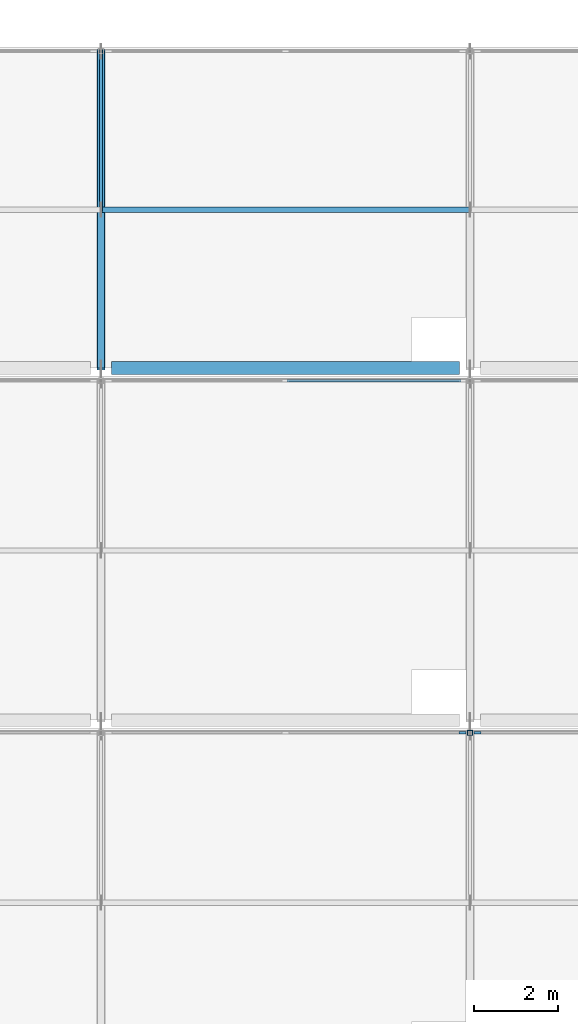
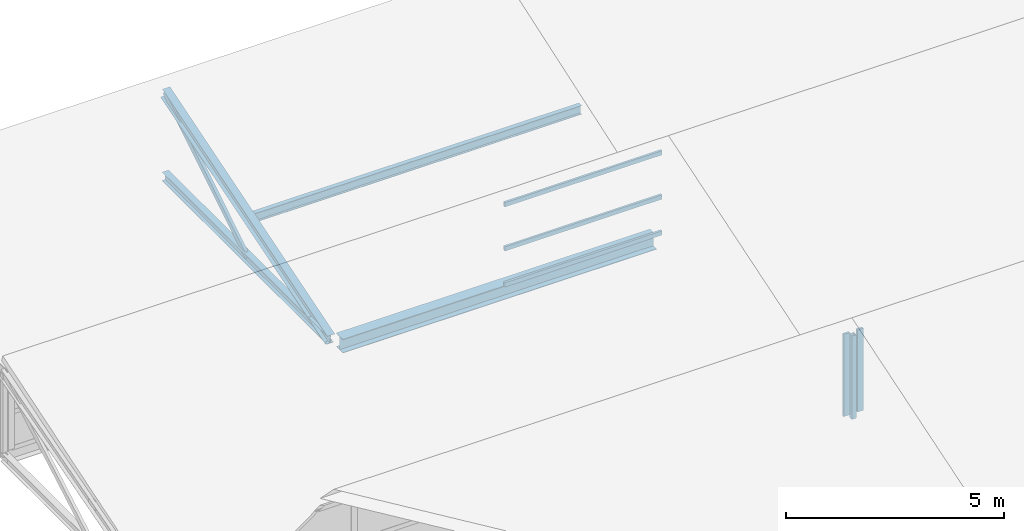
# One storey, part 5 of 40: 10 members, 1 beam, 3 elements without a shape of their own.
"""IFC4 building model written with IfcOpenShell, lengths in metres."""

from ifc_helpers import new_model, si_unit, direction, frame, origin, origin_2d, place, context, subcontext, project, spatial, rectangle, hollow_rectangle, i_section, extrude, material, material_profile, profile_set, type_object, element, aggregate, save


model = new_model("IFC4")

# Units and contexts
model_context = context("Model", 3, precision=1e-05, world=origin(), true_north=direction((0.0, 1.0)))
body_context = subcontext(model_context, "Body", "Model", "MODEL_VIEW")
ifc_project = project(units=[si_unit("LENGTHUNIT", "METRE"), si_unit("AREAUNIT", "SQUARE_METRE"), si_unit("VOLUMEUNIT", "CUBIC_METRE"), si_unit("PLANEANGLEUNIT", "RADIAN"), si_unit("MASSUNIT", "GRAM", prefix="KILO")], contexts=[model_context])

# Site, building, storey
site_placement = place(None, origin())
site = spatial("IfcSite", under=ifc_project, at=site_placement, CompositionType="ELEMENT")
building_placement = place(site_placement, origin())
building = spatial("IfcBuilding", under=site, at=building_placement, Name="Brinegate Botanical Conservatory", CompositionType="ELEMENT")
storey_placement = place(building_placement, frame((0.0, 0.0, 19.199951171875)))
storey = spatial("IfcBuildingStorey", under=building, at=storey_placement, Name="L05", CompositionType="ELEMENT", Elevation=19.199951171875)

# Beam
ifc_material_1 = material(Name="Structural steel Q355B / S355", Category="steel")
ifc_material_profile_1 = material_profile(ifc_material_1, i_section(OverallWidth=0.300048828125, OverallDepth=0.389892578125, WebThickness=0.010009765625, FlangeThickness=0.01611328125, at=origin_2d()), Name="HM 390x300x10x16")
ifc_profile_set_1 = profile_set([ifc_material_profile_1], Name="Structural steel Q355B / S355")
beam_type = type_object("IfcBeamType", Name="Beam_BM-S5", PredefinedType="BEAM", material=ifc_profile_set_1)
beam_placement = place(storey_placement, frame((59.85009765625, 103.60009765625, -0.179931640625), z_axis=(1.0, 0.0, 0.0), x_axis=(0.0, 1.0, 0.0)))
element("IfcBeam", 1, at=beam_placement, inside=storey, type_object=beam_type, Name="Sawtooth valley girder BM-S5 B3.2", PredefinedType="BEAM", context=body_context, shape_type="SweptSolid", body=[
    extrude(i_section(OverallWidth=0.300048828125, OverallDepth=0.389892578125, WebThickness=0.010009765625, FlangeThickness=0.01611328125, at=origin_2d()), origin(), (0.0, 0.0, 1.0), 8.2998046875),
])

# Curtain wall, member
ifc_material_2 = material(Name="Thermally broken anodised aluminium AW-6063-T6", Category="aluminium")
curtain_wall_type = type_object("IfcCurtainWallType", Name="CW_CW-SAW", PredefinedType="USERDEFINED", material=ifc_material_2)
curtain_wall_1_placement = place(storey_placement, origin())
curtain_wall_1 = element("IfcCurtainWall", 2, at=curtain_wall_1_placement, inside=storey, type_object=curtain_wall_type, Name="Sawtooth north-light clerestory B1.2", ObjectType="FACTORY CURTAIN WALL", PredefinedType="USERDEFINED")
ifc_material_profile_2 = material_profile(ifc_material_2, rectangle(XDim=0.06005859375, YDim=0.159912109375, at=origin_2d()), Name="ALUM MULLION 60x160")
ifc_profile_set_2 = profile_set([ifc_material_profile_2], Name="Thermally broken anodised aluminium AW-6063-T6")
member_type_1 = type_object("IfcMemberType", Name="Member_ML-01", PredefinedType="MULLION", material=ifc_profile_set_2)
member_1_placement = place(storey_placement, frame((68.219970703125, 94.89990234375, 0.150146484375), z_axis=(0.0, 0.0, 1.0), x_axis=(0.0, 1.0, 0.0)))
member_1 = element("IfcMember", 3, at=member_1_placement, type_object=member_type_1, Name="CW-SAW mullion 3", PredefinedType="MULLION", context=body_context, shape_type="SweptSolid", body=[
    extrude(rectangle(XDim=0.06005859375, YDim=0.159912109375, at=origin_2d()), origin(), (0.0, 0.0, 1.0), 2.2998046875),
])
aggregate(curtain_wall_1, [member_1])

curtain_wall_2_placement = place(storey_placement, origin())
curtain_wall_2 = element("IfcCurtainWall", 4, at=curtain_wall_2_placement, inside=storey, type_object=curtain_wall_type, Name="Sawtooth north-light clerestory B1.3", ObjectType="FACTORY CURTAIN WALL", PredefinedType="USERDEFINED")
member_2_placement = place(storey_placement, frame((68.580078125, 94.89990234375, 0.150146484375), z_axis=(0.0, 0.0, 1.0), x_axis=(0.0, 1.0, 0.0)))
member_2 = element("IfcMember", 5, at=member_2_placement, type_object=member_type_1, Name="CW-SAW mullion 1", PredefinedType="MULLION", context=body_context, shape_type="SweptSolid", body=[
    extrude(rectangle(XDim=0.06005859375, YDim=0.159912109375, at=origin_2d()), origin(), (0.0, 0.0, 1.0), 2.2998046875),
])
aggregate(curtain_wall_2, [member_2])

# Members
ifc_material_profile_3 = material_profile(ifc_material_1, hollow_rectangle(XDim=0.080078125, YDim=0.159912109375, WallThickness=0.006103515625, at=origin_2d()), Name="RHS 160x80x6")
ifc_profile_set_3 = profile_set([ifc_material_profile_3], Name="Structural steel Q355B / S355")
member_type_2 = type_object("IfcMemberType", Name="Member_SB-01", PredefinedType="BRACE", material=ifc_profile_set_3)
member_3_placement = place(storey_placement, frame((59.60009765625, 107.375, 0.02001953125), z_axis=(0.0, 0.850947042806, 0.525251492468), x_axis=(-1.0, 0.0, 0.0)))
element("IfcMember", 6, at=member_3_placement, inside=storey, type_object=member_type_2, Name="Sawtooth web diagonal SB-01 B3.T2", PredefinedType="BRACE", context=body_context, shape_type="SweptSolid", body=[
    extrude(hollow_rectangle(XDim=0.080078125, YDim=0.159912109375, WallThickness=0.006103515625, at=origin_2d()), origin(), (0.0, 0.0, 1.0), 4.43603515625),
])
ifc_material_profile_4 = material_profile(ifc_material_1, i_section(OverallWidth=0.199951171875, OverallDepth=0.2939453125, WebThickness=0.008056640625, FlangeThickness=0.011962890625, at=origin_2d()), Name="HM 294x200x8x12")
ifc_profile_set_4 = profile_set([ifc_material_profile_4], Name="Structural steel Q355B / S355")
member_type_3 = type_object("IfcMemberType", Name="Member_SC-01", PredefinedType="CHORD", material=ifc_profile_set_4)
member_4_placement = place(storey_placement, frame((59.60009765625, 103.60009765625, 0.02001953125), z_axis=(0.0, 0.955527457741, 0.294902149032), x_axis=(-1.0, 0.0, 0.0)))
element("IfcMember", 7, at=member_4_placement, inside=storey, type_object=member_type_3, Name="Sawtooth rafter chord SC-01 B3.T2", PredefinedType="CHORD", context=body_context, shape_type="SweptSolid", body=[
    extrude(i_section(OverallWidth=0.199951171875, OverallDepth=0.2939453125, WebThickness=0.008056640625, FlangeThickness=0.011962890625, at=origin_2d()), origin(), (0.0, 0.0, 1.0), 7.901123046875),
])
ifc_material_profile_5 = material_profile(ifc_material_1, i_section(OverallWidth=0.175048828125, OverallDepth=0.243896484375, WebThickness=0.007080078125, FlangeThickness=0.010986328125, at=origin_2d()), Name="HM 244x175x7x11")
ifc_profile_set_5 = profile_set([ifc_material_profile_5], Name="Structural steel Q355B / S355")
member_type_4 = type_object("IfcMemberType", Name="Member_SC-02", PredefinedType="CHORD", material=ifc_profile_set_5)
member_5_placement = place(storey_placement, frame((59.60009765625, 103.60009765625, 0.02001953125), z_axis=(0.0, 1.0, 0.0), x_axis=(-1.0, 0.0, 0.0)))
element("IfcMember", 8, at=member_5_placement, inside=storey, type_object=member_type_4, Name="Sawtooth bottom tie SC-02 B3.T2", PredefinedType="CHORD", context=body_context, shape_type="SweptSolid", body=[
    extrude(i_section(OverallWidth=0.175048828125, OverallDepth=0.243896484375, WebThickness=0.007080078125, FlangeThickness=0.010986328125, at=origin_2d()), origin(), (0.0, 0.0, 1.0), 7.5498046875),
])
ifc_material_profile_6 = material_profile(ifc_material_1, i_section(OverallWidth=0.125, OverallDepth=0.25, WebThickness=0.006103515625, FlangeThickness=0.009033203125, at=origin_2d()), Name="HN 250x125x6x9")
ifc_profile_set_6 = profile_set([ifc_material_profile_6], Name="Structural steel Q355B / S355")
member_type_5 = type_object("IfcMemberType", Name="Member_SPU-01", PredefinedType="PURLIN", material=ifc_profile_set_6)
member_6_placement = place(storey_placement, frame((59.60009765625, 107.375, 1.094970703125), z_axis=(1.0, 0.0, 0.0), x_axis=(0.0, 1.0, 0.0)))
element("IfcMember", 9, at=member_6_placement, inside=storey, type_object=member_type_5, Name="Sawtooth roof purlin SPU-01 B3.2", PredefinedType="PURLIN", context=body_context, shape_type="SweptSolid", body=[
    extrude(i_section(OverallWidth=0.125, OverallDepth=0.25, WebThickness=0.006103515625, FlangeThickness=0.009033203125, at=origin_2d()), origin(), (0.0, 0.0, 1.0), 8.7998046875),
])
ifc_material_profile_7 = material_profile(ifc_material_1, hollow_rectangle(XDim=0.1201171875, YDim=0.1201171875, WallThickness=0.006103515625, at=origin_2d()), Name="SHS 120x120x6")
ifc_profile_set_7 = profile_set([ifc_material_profile_7], Name="Structural steel Q355B / S355")
member_type_6 = type_object("IfcMemberType", Name="Member_SS-01", PredefinedType="STRUT", material=ifc_profile_set_7)
member_7_placement = place(storey_placement, frame((68.39990234375, 94.89990234375, 0.02001953125), z_axis=(0.0, 0.0, 1.0), x_axis=(1.0, 0.0, 0.0)))
element("IfcMember", 10, at=member_7_placement, inside=storey, type_object=member_type_6, Name="Sawtooth north clerestory post SS-01 B1.T3", PredefinedType="STRUT", context=body_context, shape_type="SweptSolid", body=[
    extrude(hollow_rectangle(XDim=0.1201171875, YDim=0.1201171875, WallThickness=0.006103515625, at=origin_2d()), origin(), (0.0, 0.0, 1.0), 2.330078125),
])

# Curtain wall, members
curtain_wall_3_placement = place(storey_placement, origin())
curtain_wall_3 = element("IfcCurtainWall", 11, at=curtain_wall_3_placement, inside=storey, type_object=curtain_wall_type, Name="Sawtooth north-light clerestory B2.2", ObjectType="FACTORY CURTAIN WALL", PredefinedType="USERDEFINED")
ifc_material_profile_8 = material_profile(ifc_material_2, rectangle(XDim=0.06005859375, YDim=0.1201171875, at=origin_2d()), Name="ALUM TRANSOM 60x120")
ifc_profile_set_8 = profile_set([ifc_material_profile_8], Name="Thermally broken anodised aluminium AW-6063-T6")
member_type_7 = type_object("IfcMemberType", Name="Member_TR-01", PredefinedType="USERDEFINED", material=ifc_profile_set_8)
member_8_placement = place(storey_placement, frame((64.030029296875, 103.300048828125, 0.179931640625), z_axis=(1.0, 0.0, 0.0), x_axis=(0.0, 1.0, 0.0)))
member_8 = element("IfcMember", 12, at=member_8_placement, type_object=member_type_7, Name="CW-SAW transom 2.1", ObjectType="TRANSOM", PredefinedType="USERDEFINED", context=body_context, shape_type="SweptSolid", body=[
    extrude(rectangle(XDim=0.06005859375, YDim=0.1201171875, at=origin_2d()), origin(), (0.0, 0.0, 1.0), 4.159912109375),
])
member_9_placement = place(storey_placement, frame((64.030029296875, 103.300048828125, 1.18505859375), z_axis=(1.0, 0.0, 0.0), x_axis=(0.0, 1.0, 0.0)))
member_9 = element("IfcMember", 13, at=member_9_placement, type_object=member_type_7, Name="CW-SAW transom 2.2", ObjectType="TRANSOM", PredefinedType="USERDEFINED", context=body_context, shape_type="SweptSolid", body=[
    extrude(rectangle(XDim=0.06005859375, YDim=0.1201171875, at=origin_2d()), origin(), (0.0, 0.0, 1.0), 4.159912109375),
])
member_10_placement = place(storey_placement, frame((64.030029296875, 103.300048828125, 2.420166015625), z_axis=(1.0, 0.0, 0.0), x_axis=(0.0, 1.0, 0.0)))
member_10 = element("IfcMember", 14, at=member_10_placement, type_object=member_type_7, Name="CW-SAW transom 2.3", ObjectType="TRANSOM", PredefinedType="USERDEFINED", context=body_context, shape_type="SweptSolid", body=[
    extrude(rectangle(XDim=0.06005859375, YDim=0.1201171875, at=origin_2d()), origin(), (0.0, 0.0, 1.0), 4.159912109375),
])
aggregate(curtain_wall_3, [member_8, member_9, member_10])

save(model, "model.ifc")
